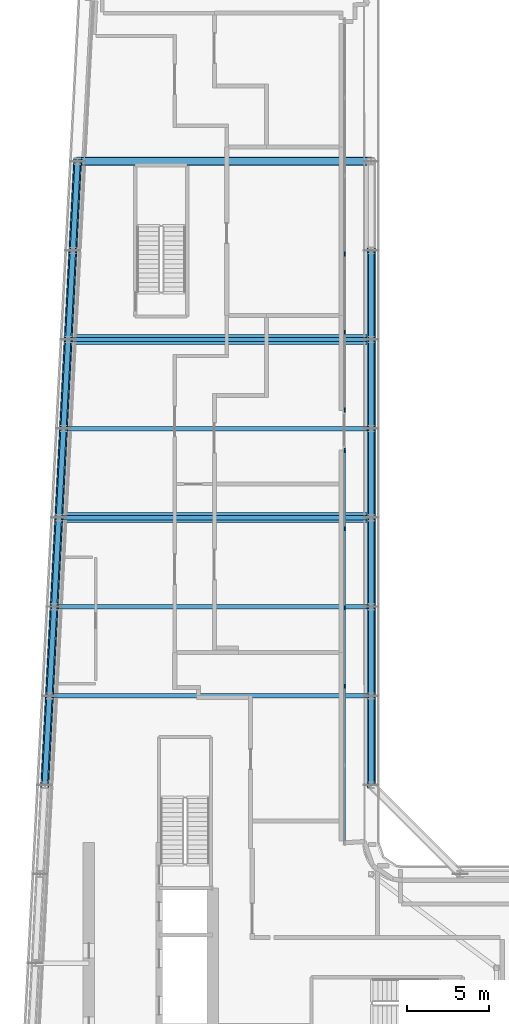
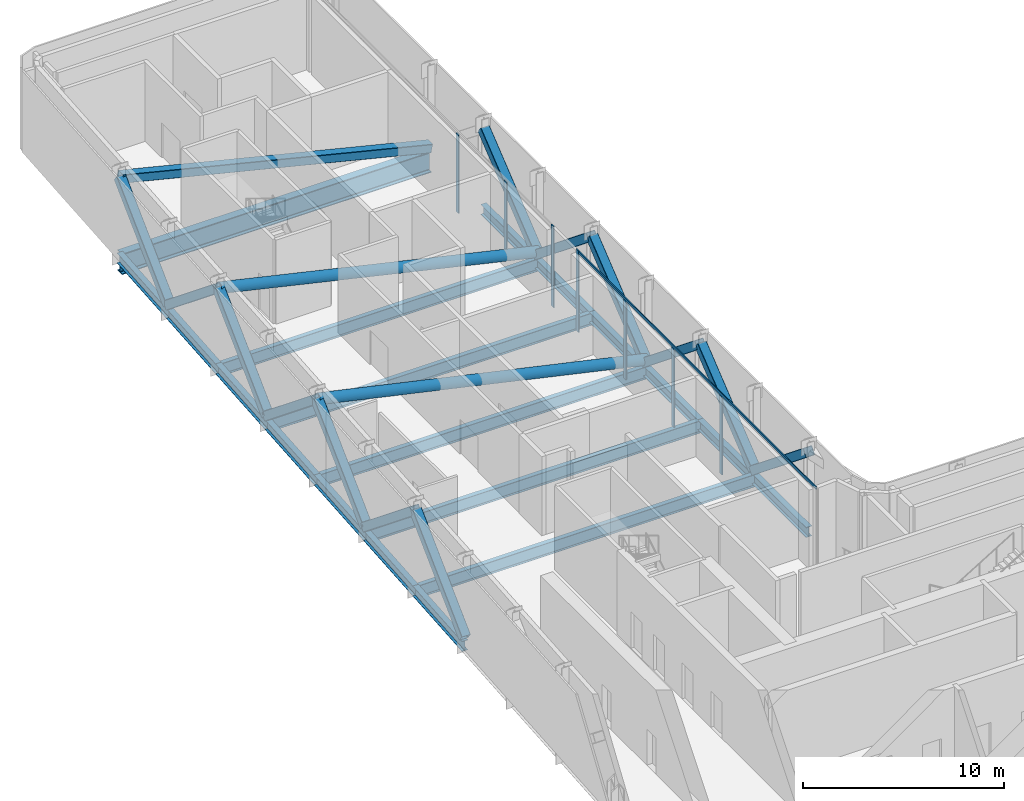
# One storey, part 6 of 23: 24 members, 19 beams, 2 elements without a shape of their own.
"""IFC4 building model written with IfcOpenShell, lengths in metres."""

from ifc_helpers import new_model, si_unit, direction, frame, origin, origin_2d, place, context, subcontext, project, spatial, rectangle, hollow_rectangle, hollow_circle, i_section, extrude, material, layer, layer_set, material_profile, profile_set, type_object, element, aggregate, save


model = new_model("IFC4")

# Units and contexts
model_context = context("Model", 3, precision=1e-05, world=origin(), true_north=direction((0.0, 1.0)))
body_context = subcontext(model_context, "Body", "Model", "MODEL_VIEW")
ifc_project = project(units=[si_unit("LENGTHUNIT", "METRE"), si_unit("AREAUNIT", "SQUARE_METRE"), si_unit("VOLUMEUNIT", "CUBIC_METRE"), si_unit("PLANEANGLEUNIT", "RADIAN"), si_unit("MASSUNIT", "GRAM", prefix="KILO")], contexts=[model_context])

# Site, building, storey
site_placement = place(None, origin())
site = spatial("IfcSite", under=ifc_project, at=site_placement, CompositionType="ELEMENT")
building_placement = place(site_placement, origin())
building = spatial("IfcBuilding", under=site, at=building_placement, Name="Kheshtan School and Residences Tower", CompositionType="ELEMENT")
storey_placement = place(building_placement, frame((0.0, 0.0, 211.10009765625)))
storey = spatial("IfcBuildingStorey", under=building, at=storey_placement, Name="L49", CompositionType="ELEMENT", Elevation=211.10009765625)

# Beams
ifc_material_1 = material(Name="Steel ASTM A992 Grade 50", Category="steel")
ifc_material_profile_1 = material_profile(ifc_material_1, i_section(OverallWidth=0.264892578125, OverallDepth=0.7529296875, WebThickness=0.01318359375, FlangeThickness=0.01708984375, FilletRadius=0.015380859375, at=origin_2d()), Name="W760x147")
ifc_profile_set_1 = profile_set([ifc_material_profile_1], Name="Steel ASTM A992 Grade 50")
beam_type_1 = type_object("IfcBeamType", Name="Beam FB7 W760x147 ASTM A992 Grade 50", PredefinedType="BEAM", material=ifc_profile_set_1)
beam_1_placement = place(storey_placement, frame((47.60009765625, 78.0, -0.526611328125), z_axis=(-1.0, 0.0, 0.0), x_axis=(0.0, -1.0, 0.0)))
element("IfcBeam", 1, at=beam_1_placement, inside=storey, type_object=beam_type_1, Name="Floor beam C089", PredefinedType="BEAM", context=body_context, shape_type="SweptSolid", body=[
    extrude(i_section(OverallWidth=0.264892578125, OverallDepth=0.7529296875, WebThickness=0.01318359375, FlangeThickness=0.01708984375, FilletRadius=0.015380859375, at=origin_2d()), origin(), (0.0, 0.0, 1.0), 18.357177734375),
])
beam_2_placement = place(storey_placement, frame((47.60009765625, 67.199951171875, -0.526611328125), z_axis=(-1.0, 0.0, 0.0), x_axis=(0.0, -1.0, 0.0)))
element("IfcBeam", 2, at=beam_2_placement, inside=storey, type_object=beam_type_1, Name="Floor beam C085", PredefinedType="BEAM", context=body_context, shape_type="SweptSolid", body=[
    extrude(i_section(OverallWidth=0.264892578125, OverallDepth=0.7529296875, WebThickness=0.01318359375, FlangeThickness=0.01708984375, FilletRadius=0.015380859375, at=origin_2d()), origin(), (0.0, 0.0, 1.0), 18.926025390625),
])
beam_3_placement = place(storey_placement, frame((47.60009765625, 56.39990234375, -0.526611328125), z_axis=(-1.0, 0.0, 0.0), x_axis=(0.0, -1.0, 0.0)))
element("IfcBeam", 3, at=beam_3_placement, inside=storey, type_object=beam_type_1, Name="Floor beam C081", PredefinedType="BEAM", context=body_context, shape_type="SweptSolid", body=[
    extrude(i_section(OverallWidth=0.264892578125, OverallDepth=0.7529296875, WebThickness=0.01318359375, FlangeThickness=0.01708984375, FilletRadius=0.015380859375, at=origin_2d()), origin(), (0.0, 0.0, 1.0), 19.494140625),
])
beam_4_placement = place(storey_placement, frame((28.389892578125, 61.800048828125, -0.526611328125), z_axis=(1.0, 0.0, 0.0), x_axis=(0.0, 1.0, 0.0)))
element("IfcBeam", 4, at=beam_4_placement, inside=storey, type_object=beam_type_1, Name="Floor beam C082", PredefinedType="BEAM", context=body_context, shape_type="SweptSolid", body=[
    extrude(i_section(OverallWidth=0.264892578125, OverallDepth=0.7529296875, WebThickness=0.01318359375, FlangeThickness=0.01708984375, FilletRadius=0.015380859375, at=origin_2d()), origin(), (0.0, 0.0, 1.0), 19.210205078125),
])
beam_5_placement = place(storey_placement, frame((28.9580078125, 72.60009765625, -0.526611328125), z_axis=(1.0, 0.0, 0.0), x_axis=(0.0, 1.0, 0.0)))
element("IfcBeam", 5, at=beam_5_placement, inside=storey, type_object=beam_type_1, Name="Floor beam C086", PredefinedType="BEAM", context=body_context, shape_type="SweptSolid", body=[
    extrude(i_section(OverallWidth=0.264892578125, OverallDepth=0.7529296875, WebThickness=0.01318359375, FlangeThickness=0.01708984375, FilletRadius=0.015380859375, at=origin_2d()), origin(), (0.0, 0.0, 1.0), 18.64208984375),
])
ifc_material_profile_2 = material_profile(ifc_material_1, i_section(OverallWidth=0.324951171875, OverallDepth=0.615966796875, WebThickness=0.013916015625, FlangeThickness=0.021484375, FilletRadius=0.0185546875, at=origin_2d()), Name="W610x174")
ifc_profile_set_2 = profile_set([ifc_material_profile_2], Name="Steel ASTM A992 Grade 50")
beam_type_2 = type_object("IfcBeamType", Name="Beam SP5 W610x174 ASTM A992 Grade 50", PredefinedType="BEAM", material=ifc_profile_set_2)
for number, where, z_axis, x_axis, name in (
    (6, (47.60009765625, 83.39990234375, -0.4580078125), (0.0, -1.0, 0.0), (1.0, 0.0, 0.0), "Spandrel beam C091-C089"),
    (7, (47.60009765625, 78.0, -0.4580078125), (0.0, -1.0, 0.0), (1.0, 0.0, 0.0), "Spandrel beam C089-C087"),
):
    element("IfcBeam", number, at=place(storey_placement, frame(where, z_axis=z_axis, x_axis=x_axis)), inside=storey, type_object=beam_type_2, Name=name, PredefinedType="BEAM", context=body_context, shape_type="SweptSolid", body=[
        extrude(i_section(OverallWidth=0.324951171875, OverallDepth=0.615966796875, WebThickness=0.013916015625, FlangeThickness=0.021484375, FilletRadius=0.0185546875, at=origin_2d()), origin(), (0.0, 0.0, 1.0), 5.39990234375),
    ])
beam_6_placement = place(storey_placement, frame((47.60009765625, 72.60009765625, -0.4580078125), z_axis=(0.0, -1.0, 0.0), x_axis=(1.0, 0.0, 0.0)))
element("IfcBeam", 8, at=beam_6_placement, inside=storey, type_object=beam_type_2, Name="Spandrel beam C087-C085", PredefinedType="BEAM", context=body_context, shape_type="SweptSolid", body=[
    extrude(i_section(OverallWidth=0.324951171875, OverallDepth=0.615966796875, WebThickness=0.013916015625, FlangeThickness=0.021484375, FilletRadius=0.0185546875, at=origin_2d()), origin(), (0.0, 0.0, 1.0), 5.400146484375),
])
beam_7_placement = place(storey_placement, frame((47.60009765625, 67.199951171875, -0.4580078125), z_axis=(0.0, -1.0, 0.0), x_axis=(1.0, 0.0, 0.0)))
element("IfcBeam", 9, at=beam_7_placement, inside=storey, type_object=beam_type_2, Name="Spandrel beam C085-C083", PredefinedType="BEAM", context=body_context, shape_type="SweptSolid", body=[
    extrude(i_section(OverallWidth=0.324951171875, OverallDepth=0.615966796875, WebThickness=0.013916015625, FlangeThickness=0.021484375, FilletRadius=0.0185546875, at=origin_2d()), origin(), (0.0, 0.0, 1.0), 5.39990234375),
])
beam_8_placement = place(storey_placement, frame((47.60009765625, 61.800048828125, -0.4580078125), z_axis=(0.0, -1.0, 0.0), x_axis=(1.0, 0.0, 0.0)))
element("IfcBeam", 10, at=beam_8_placement, inside=storey, type_object=beam_type_2, Name="Spandrel beam C083-C081", PredefinedType="BEAM", context=body_context, shape_type="SweptSolid", body=[
    extrude(i_section(OverallWidth=0.324951171875, OverallDepth=0.615966796875, WebThickness=0.013916015625, FlangeThickness=0.021484375, FilletRadius=0.0185546875, at=origin_2d()), origin(), (0.0, 0.0, 1.0), 5.400146484375),
])
beam_9_placement = place(storey_placement, frame((47.60009765625, 56.39990234375, -0.4580078125), z_axis=(0.0, -1.0, 0.0), x_axis=(1.0, 0.0, 0.0)))
element("IfcBeam", 11, at=beam_9_placement, inside=storey, type_object=beam_type_2, Name="Spandrel beam C081-C079", PredefinedType="BEAM", context=body_context, shape_type="SweptSolid", body=[
    extrude(i_section(OverallWidth=0.324951171875, OverallDepth=0.615966796875, WebThickness=0.013916015625, FlangeThickness=0.021484375, FilletRadius=0.0185546875, at=origin_2d()), origin(), (0.0, 0.0, 1.0), 5.39990234375),
])
beam_10_placement = place(storey_placement, frame((27.822021484375, 51.0, -0.4580078125), z_axis=(0.05250906864, 0.998620447272, 0.0), x_axis=(-0.998620447272, 0.05250906864, 0.0)))
element("IfcBeam", 12, at=beam_10_placement, inside=storey, type_object=beam_type_2, Name="Spandrel beam C078-C080", PredefinedType="BEAM", context=body_context, shape_type="SweptSolid", body=[
    extrude(i_section(OverallWidth=0.324951171875, OverallDepth=0.615966796875, WebThickness=0.013916015625, FlangeThickness=0.021484375, FilletRadius=0.0185546875, at=origin_2d()), origin(), (0.0, 0.0, 1.0), 5.407470703125),
])
beam_11_placement = place(storey_placement, frame((28.10595703125, 56.39990234375, -0.4580078125), z_axis=(0.05250670125, 0.998620571751, 0.0), x_axis=(-0.998620571751, 0.05250670125, 0.0)))
element("IfcBeam", 13, at=beam_11_placement, inside=storey, type_object=beam_type_2, Name="Spandrel beam C080-C082", PredefinedType="BEAM", context=body_context, shape_type="SweptSolid", body=[
    extrude(i_section(OverallWidth=0.324951171875, OverallDepth=0.615966796875, WebThickness=0.013916015625, FlangeThickness=0.021484375, FilletRadius=0.0185546875, at=origin_2d()), origin(), (0.0, 0.0, 1.0), 5.40771484375),
])
beam_12_placement = place(storey_placement, frame((28.389892578125, 61.800048828125, -0.4580078125), z_axis=(0.052554093665, 0.998618078766, 0.0), x_axis=(-0.998618078766, 0.052554093665, 0.0)))
element("IfcBeam", 14, at=beam_12_placement, inside=storey, type_object=beam_type_2, Name="Spandrel beam C082-C084", PredefinedType="BEAM", context=body_context, shape_type="SweptSolid", body=[
    extrude(i_section(OverallWidth=0.324951171875, OverallDepth=0.615966796875, WebThickness=0.013916015625, FlangeThickness=0.021484375, FilletRadius=0.0185546875, at=origin_2d()), origin(), (0.0, 0.0, 1.0), 5.407470703125),
])
beam_13_placement = place(storey_placement, frame((28.674072265625, 67.199951171875, -0.4580078125), z_axis=(0.05250670125, 0.998620571751, 0.0), x_axis=(-0.998620571751, 0.05250670125, 0.0)))
element("IfcBeam", 15, at=beam_13_placement, inside=storey, type_object=beam_type_2, Name="Spandrel beam C084-C086", PredefinedType="BEAM", context=body_context, shape_type="SweptSolid", body=[
    extrude(i_section(OverallWidth=0.324951171875, OverallDepth=0.615966796875, WebThickness=0.013916015625, FlangeThickness=0.021484375, FilletRadius=0.0185546875, at=origin_2d()), origin(), (0.0, 0.0, 1.0), 5.40771484375),
])
for number, where, z_axis, x_axis, name in (
    (16, (28.9580078125, 72.60009765625, -0.4580078125), (0.052689166816, 0.998610961136, 0.0), (-0.998610961136, 0.052689166816, 0.0), "Spandrel beam C086-C088"),
    (17, (29.242919921875, 78.0, -0.4580078125), (0.052554093665, 0.998618078766, 0.0), (-0.998618078766, 0.052554093665, 0.0), "Spandrel beam C088-C090"),
):
    element("IfcBeam", number, at=place(storey_placement, frame(where, z_axis=z_axis, x_axis=x_axis)), inside=storey, type_object=beam_type_2, Name=name, PredefinedType="BEAM", context=body_context, shape_type="SweptSolid", body=[
        extrude(i_section(OverallWidth=0.324951171875, OverallDepth=0.615966796875, WebThickness=0.013916015625, FlangeThickness=0.021484375, FilletRadius=0.0185546875, at=origin_2d()), origin(), (0.0, 0.0, 1.0), 5.407470703125),
    ])
beam_14_placement = place(storey_placement, frame((29.527099609375, 83.39990234375, -0.4580078125), z_axis=(0.05250670125, 0.998620571751, 0.0), x_axis=(-0.998620571751, 0.05250670125, 0.0)))
element("IfcBeam", 18, at=beam_14_placement, inside=storey, type_object=beam_type_2, Name="Spandrel beam C090-C098", PredefinedType="BEAM", context=body_context, shape_type="SweptSolid", body=[
    extrude(i_section(OverallWidth=0.324951171875, OverallDepth=0.615966796875, WebThickness=0.013916015625, FlangeThickness=0.021484375, FilletRadius=0.0185546875, at=origin_2d()), origin(), (0.0, 0.0, 1.0), 5.40771484375),
])

# Curtain wall, members
ifc_material_2 = material(Name="Clear low-e glass in thermally broken aluminium frame", Category="aluminium")
ifc_layer = layer(ifc_material_2, 0.25)
ifc_layer_set = layer_set([ifc_layer], Name="Curtain wall CW-G")
curtain_wall_type = type_object("IfcCurtainWallType", Name="Curtain wall CW-G", PredefinedType="NOTDEFINED", material=ifc_layer_set)
curtain_wall_1_placement = place(storey_placement, origin())
curtain_wall_1 = element("IfcCurtainWall", 19, at=curtain_wall_1_placement, inside=storey, type_object=curtain_wall_type, Name="Curtain wall CWG19", PredefinedType="NOTDEFINED")
ifc_material_3 = material(Name="Thermally broken aluminium, dark bronze anodised", Category="aluminium")
ifc_material_profile_3 = material_profile(ifc_material_3, rectangle(XDim=0.06005859375, YDim=0.25, at=origin_2d()), Name="CW-G mullion 60x250")
ifc_profile_set_3 = profile_set([ifc_material_profile_3], Name="Thermally broken aluminium, dark bronze anodised")
member_type_1 = type_object("IfcMemberType", Name="CW-G mullion 60x250", PredefinedType="MULLION", material=ifc_profile_set_3)
member_1_placement = place(storey_placement, frame((46.0, 83.179931640625, 0.0), z_axis=(0.0, 0.0, 1.0), x_axis=(1.0, 0.0, 0.0)))
member_1 = element("IfcMember", 20, at=member_1_placement, type_object=member_type_1, Name="CWG19 mullion 4", PredefinedType="MULLION", context=body_context, shape_type="SweptSolid", body=[
    extrude(rectangle(XDim=0.06005859375, YDim=0.25, at=origin_2d()), origin(), (0.0, 0.0, 1.0), 4.789794921875),
])
member_2_placement = place(storey_placement, frame((46.0, 78.43994140625, 0.0), z_axis=(0.0, 0.0, 1.0), x_axis=(1.0, 0.0, 0.0)))
member_2 = element("IfcMember", 21, at=member_2_placement, type_object=member_type_1, Name="CWG19 mullion 5", PredefinedType="MULLION", context=body_context, shape_type="SweptSolid", body=[
    extrude(rectangle(XDim=0.06005859375, YDim=0.25, at=origin_2d()), origin(), (0.0, 0.0, 1.0), 4.789794921875),
])
member_3_placement = place(storey_placement, frame((46.0, 73.72998046875, 0.0), z_axis=(0.0, 0.0, 1.0), x_axis=(1.0, 0.0, 0.0)))
member_3 = element("IfcMember", 22, at=member_3_placement, type_object=member_type_1, Name="CWG19 mullion 6", PredefinedType="MULLION", context=body_context, shape_type="SweptSolid", body=[
    extrude(rectangle(XDim=0.06005859375, YDim=0.25, at=origin_2d()), origin(), (0.0, 0.0, 1.0), 4.949951171875),
])
aggregate(curtain_wall_1, [member_1, member_2, member_3])

curtain_wall_2_placement = place(storey_placement, origin())
curtain_wall_2 = element("IfcCurtainWall", 23, at=curtain_wall_2_placement, inside=storey, type_object=curtain_wall_type, Name="Curtain wall CWG19a", PredefinedType="NOTDEFINED")
member_4_placement = place(storey_placement, frame((46.0, 71.27001953125, 0.0), z_axis=(0.0, 0.0, 1.0), x_axis=(1.0, 0.0, 0.0)))
member_4 = element("IfcMember", 24, at=member_4_placement, type_object=member_type_1, Name="CWG19a mullion 1", PredefinedType="MULLION", context=body_context, shape_type="SweptSolid", body=[
    extrude(rectangle(XDim=0.06005859375, YDim=0.25, at=origin_2d()), origin(), (0.0, 0.0, 1.0), 4.949951171875),
])
member_5_placement = place(storey_placement, frame((46.0, 66.52587890625, 0.0), z_axis=(0.0, 0.0, 1.0), x_axis=(1.0, 0.0, 0.0)))
member_5 = element("IfcMember", 25, at=member_5_placement, type_object=member_type_1, Name="CWG19a mullion 2", PredefinedType="MULLION", context=body_context, shape_type="SweptSolid", body=[
    extrude(rectangle(XDim=0.06005859375, YDim=0.25, at=origin_2d()), origin(), (0.0, 0.0, 1.0), 4.789794921875),
])
member_6_placement = place(storey_placement, frame((46.0, 61.751953125, 0.0), z_axis=(0.0, 0.0, 1.0), x_axis=(1.0, 0.0, 0.0)))
member_6 = element("IfcMember", 26, at=member_6_placement, type_object=member_type_1, Name="CWG19a mullion 3", PredefinedType="MULLION", context=body_context, shape_type="SweptSolid", body=[
    extrude(rectangle(XDim=0.06005859375, YDim=0.25, at=origin_2d()), origin(), (0.0, 0.0, 1.0), 4.789794921875),
])
member_7_placement = place(storey_placement, frame((46.0, 56.97802734375, 0.0), z_axis=(0.0, 0.0, 1.0), x_axis=(1.0, 0.0, 0.0)))
member_7 = element("IfcMember", 27, at=member_7_placement, type_object=member_type_1, Name="CWG19a mullion 4", PredefinedType="MULLION", context=body_context, shape_type="SweptSolid", body=[
    extrude(rectangle(XDim=0.06005859375, YDim=0.25, at=origin_2d()), origin(), (0.0, 0.0, 1.0), 4.789794921875),
])
ifc_material_profile_4 = material_profile(ifc_material_3, rectangle(XDim=0.06005859375, YDim=0.159912109375, at=origin_2d()), Name="CW-G transom 60x160")
ifc_profile_set_4 = profile_set([ifc_material_profile_4], Name="Thermally broken aluminium, dark bronze anodised")
member_type_2 = type_object("IfcMemberType", Name="CW-G transom 60x160", PredefinedType="USERDEFINED", material=ifc_profile_set_4)
member_8_placement = place(storey_placement, frame((46.0, 71.239990234375, 4.869873046875), z_axis=(0.0, -1.0, 0.0), x_axis=(1.0, 0.0, 0.0)))
member_8 = element("IfcMember", 28, at=member_8_placement, type_object=member_type_2, Name="CWG19a transom 1", ObjectType="TRANSOM", PredefinedType="USERDEFINED", context=body_context, shape_type="SweptSolid", body=[
    extrude(rectangle(XDim=0.06005859375, YDim=0.159912109375, at=origin_2d()), origin(), (0.0, 0.0, 1.0), 23.75),
])
aggregate(curtain_wall_2, [member_4, member_5, member_6, member_7, member_8])

# Members
ifc_material_4 = material(Name="Steel ASTM A500 Grade C", Category="steel")
ifc_material_profile_5 = material_profile(ifc_material_4, hollow_rectangle(XDim=0.508056640625, YDim=0.508056640625, WallThickness=0.01904296875, InnerFilletRadius=0.01904296875, OuterFilletRadius=0.0380859375, at=origin_2d()), Name="HSS 508x508x19")
ifc_profile_set_5 = profile_set([ifc_material_profile_5], Name="Steel ASTM A500 Grade C")
member_type_3 = type_object("IfcMemberType", Name="Member BT2 HSS 508x508x19 ASTM A500 Grade C", PredefinedType="BRACE", material=ifc_profile_set_5)
for number, where, z_axis, x_axis, name in (
    (29, (47.60009765625, 78.0, 0.0498046875), (0.0, 0.777537865444, 0.628836121578), (-1.0, 0.0, 0.0), "Belt truss diagonal C091-C089"),
    (30, (47.60009765625, 78.0, 0.0498046875), (0.0, -0.777537865444, 0.628836121578), (1.0, 0.0, 0.0), "Belt truss diagonal C089-C087"),
):
    element("IfcMember", number, at=place(storey_placement, frame(where, z_axis=z_axis, x_axis=x_axis)), inside=storey, type_object=member_type_3, Name=name, PredefinedType="BRACE", context=body_context, shape_type="SweptSolid", body=[
        extrude(hollow_rectangle(XDim=0.508056640625, YDim=0.508056640625, WallThickness=0.01904296875, InnerFilletRadius=0.01904296875, OuterFilletRadius=0.0380859375, at=origin_2d()), origin(), (0.0, 0.0, 1.0), 6.94482421875),
    ])
member_9_placement = place(storey_placement, frame((47.60009765625, 67.199951171875, 0.0498046875), z_axis=(0.0, 0.777551766021, 0.628818933523), x_axis=(-1.0, 0.0, 0.0)))
element("IfcMember", 31, at=member_9_placement, inside=storey, type_object=member_type_3, Name="Belt truss diagonal C087-C085", PredefinedType="BRACE", context=body_context, shape_type="SweptSolid", body=[
    extrude(hollow_rectangle(XDim=0.508056640625, YDim=0.508056640625, WallThickness=0.01904296875, InnerFilletRadius=0.01904296875, OuterFilletRadius=0.0380859375, at=origin_2d()), origin(), (0.0, 0.0, 1.0), 6.945068359375),
])
member_10_placement = place(storey_placement, frame((47.60009765625, 67.199951171875, 0.0498046875), z_axis=(0.0, -0.777537865444, 0.628836121578), x_axis=(1.0, 0.0, 0.0)))
element("IfcMember", 32, at=member_10_placement, inside=storey, type_object=member_type_3, Name="Belt truss diagonal C085-C083", PredefinedType="BRACE", context=body_context, shape_type="SweptSolid", body=[
    extrude(hollow_rectangle(XDim=0.508056640625, YDim=0.508056640625, WallThickness=0.01904296875, InnerFilletRadius=0.01904296875, OuterFilletRadius=0.0380859375, at=origin_2d()), origin(), (0.0, 0.0, 1.0), 6.94482421875),
])
member_11_placement = place(storey_placement, frame((47.60009765625, 56.39990234375, 0.0498046875), z_axis=(0.0, 0.777551766021, 0.628818933523), x_axis=(-1.0, 0.0, 0.0)))
element("IfcMember", 33, at=member_11_placement, inside=storey, type_object=member_type_3, Name="Belt truss diagonal C083-C081", PredefinedType="BRACE", context=body_context, shape_type="SweptSolid", body=[
    extrude(hollow_rectangle(XDim=0.508056640625, YDim=0.508056640625, WallThickness=0.01904296875, InnerFilletRadius=0.01904296875, OuterFilletRadius=0.0380859375, at=origin_2d()), origin(), (0.0, 0.0, 1.0), 6.945068359375),
])
member_12_placement = place(storey_placement, frame((47.60009765625, 56.39990234375, 0.0498046875), z_axis=(0.0, -0.777537865444, 0.628836121578), x_axis=(1.0, 0.0, 0.0)))
element("IfcMember", 34, at=member_12_placement, inside=storey, type_object=member_type_3, Name="Belt truss diagonal C081-C079", PredefinedType="BRACE", context=body_context, shape_type="SweptSolid", body=[
    extrude(hollow_rectangle(XDim=0.508056640625, YDim=0.508056640625, WallThickness=0.01904296875, InnerFilletRadius=0.01904296875, OuterFilletRadius=0.0380859375, at=origin_2d()), origin(), (0.0, 0.0, 1.0), 6.94482421875),
])
member_13_placement = place(storey_placement, frame((27.822021484375, 51.0, 0.0498046875), z_axis=(0.040850064509, 0.776888845057, 0.628311224359), x_axis=(-0.998620447272, 0.05250906864, 0.0)))
element("IfcMember", 35, at=member_13_placement, inside=storey, type_object=member_type_3, Name="Belt truss diagonal C078-C080", PredefinedType="BRACE", context=body_context, shape_type="SweptSolid", body=[
    extrude(hollow_rectangle(XDim=0.508056640625, YDim=0.508056640625, WallThickness=0.01904296875, InnerFilletRadius=0.01904296875, OuterFilletRadius=0.0380859375, at=origin_2d()), origin(), (0.0, 0.0, 1.0), 6.95068359375),
])
member_14_placement = place(storey_placement, frame((28.389892578125, 61.800048828125, 0.0498046875), z_axis=(-0.040848949812, -0.776902769467, 0.628294079308), x_axis=(0.998620571751, -0.05250670125, 0.0)))
element("IfcMember", 36, at=member_14_placement, inside=storey, type_object=member_type_3, Name="Belt truss diagonal C080-C082", PredefinedType="BRACE", context=body_context, shape_type="SweptSolid", body=[
    extrude(hollow_rectangle(XDim=0.508056640625, YDim=0.508056640625, WallThickness=0.01904296875, InnerFilletRadius=0.01904296875, OuterFilletRadius=0.0380859375, at=origin_2d()), origin(), (0.0, 0.0, 1.0), 6.950927734375),
])
member_15_placement = place(storey_placement, frame((28.389892578125, 61.800048828125, 0.0498046875), z_axis=(0.040885130553, 0.776887729863, 0.628310322443), x_axis=(-0.998618078766, 0.052554093665, 0.0)))
element("IfcMember", 37, at=member_15_placement, inside=storey, type_object=member_type_3, Name="Belt truss diagonal C082-C084", PredefinedType="BRACE", context=body_context, shape_type="SweptSolid", body=[
    extrude(hollow_rectangle(XDim=0.508056640625, YDim=0.508056640625, WallThickness=0.01904296875, InnerFilletRadius=0.01904296875, OuterFilletRadius=0.0380859375, at=origin_2d()), origin(), (0.0, 0.0, 1.0), 6.95068359375),
])
member_16_placement = place(storey_placement, frame((28.9580078125, 72.60009765625, 0.0498046875), z_axis=(-0.040848949812, -0.776902769467, 0.628294079308), x_axis=(0.998620571751, -0.05250670125, 0.0)))
element("IfcMember", 38, at=member_16_placement, inside=storey, type_object=member_type_3, Name="Belt truss diagonal C084-C086", PredefinedType="BRACE", context=body_context, shape_type="SweptSolid", body=[
    extrude(hollow_rectangle(XDim=0.508056640625, YDim=0.508056640625, WallThickness=0.01904296875, InnerFilletRadius=0.01904296875, OuterFilletRadius=0.0380859375, at=origin_2d()), origin(), (0.0, 0.0, 1.0), 6.950927734375),
])
for number, where, z_axis, x_axis, name in (
    (39, (28.9580078125, 72.60009765625, 0.0498046875), (0.040990327777, 0.776884378559, 0.628307612066), (-0.998610961136, 0.052689166816, 0.0), "Belt truss diagonal C086-C088"),
    (40, (29.527099609375, 83.39990234375, 0.0498046875), (-0.040885130553, -0.776887729863, 0.628310322443), (0.998618078766, -0.052554093665, 0.0), "Belt truss diagonal C088-C090"),
):
    element("IfcMember", number, at=place(storey_placement, frame(where, z_axis=z_axis, x_axis=x_axis)), inside=storey, type_object=member_type_3, Name=name, PredefinedType="BRACE", context=body_context, shape_type="SweptSolid", body=[
        extrude(hollow_rectangle(XDim=0.508056640625, YDim=0.508056640625, WallThickness=0.01904296875, InnerFilletRadius=0.01904296875, OuterFilletRadius=0.0380859375, at=origin_2d()), origin(), (0.0, 0.0, 1.0), 6.95068359375),
    ])
member_17_placement = place(storey_placement, frame((29.527099609375, 83.39990234375, 0.0498046875), z_axis=(0.040848949812, 0.776902769467, 0.628294079308), x_axis=(-0.998620571751, 0.05250670125, 0.0)))
element("IfcMember", 41, at=member_17_placement, inside=storey, type_object=member_type_3, Name="Belt truss diagonal C090-C098", PredefinedType="BRACE", context=body_context, shape_type="SweptSolid", body=[
    extrude(hollow_rectangle(XDim=0.508056640625, YDim=0.508056640625, WallThickness=0.01904296875, InnerFilletRadius=0.01904296875, OuterFilletRadius=0.0380859375, at=origin_2d()), origin(), (0.0, 0.0, 1.0), 6.950927734375),
])
member_18_placement = place(storey_placement, frame((47.60009765625, 88.800048828125, 0.0498046875), z_axis=(-0.971162415633, 0.0, 0.238418880254), x_axis=(0.0, -1.0, 0.0)))
element("IfcMember", 42, at=member_18_placement, inside=storey, type_object=member_type_3, Name="Belt truss diagonal C098-C099", PredefinedType="BRACE", context=body_context, shape_type="SweptSolid", body=[
    extrude(hollow_rectangle(XDim=0.508056640625, YDim=0.508056640625, WallThickness=0.01904296875, InnerFilletRadius=0.01904296875, OuterFilletRadius=0.0380859375, at=origin_2d()), origin(), (0.0, 0.0, 1.0), 18.3173828125),
])
ifc_material_profile_6 = material_profile(ifc_material_4, hollow_circle(Radius=0.3046875, WallThickness=0.01904296875, at=origin_2d()), Name="HSS 610x19")
ifc_profile_set_6 = profile_set([ifc_material_profile_6], Name="Steel ASTM A500 Grade C")
member_type_4 = type_object("IfcMemberType", Name="Member OR1 HSS 610x19 ASTM A500 Grade C", PredefinedType="BRACE", material=ifc_profile_set_6)
member_19_placement = place(storey_placement, frame((47.60009765625, 78.0, 0.199951171875), z_axis=(-0.974614414636, 0.0, 0.223890023859), x_axis=(0.0, -1.0, 0.0)))
element("IfcMember", 43, at=member_19_placement, inside=storey, type_object=member_type_4, Name="Outrigger arm 1", PredefinedType="BRACE", context=body_context, shape_type="SweptSolid", body=[
    extrude(hollow_circle(Radius=0.3046875, WallThickness=0.01904296875, at=origin_2d()), origin(), (0.0, 0.0, 1.0), 18.835205078125),
])
member_20_placement = place(storey_placement, frame((47.60009765625, 67.199951171875, 0.199951171875), z_axis=(-0.976063956362, 0.0, 0.217483684656), x_axis=(0.0, -1.0, 0.0)))
element("IfcMember", 44, at=member_20_placement, inside=storey, type_object=member_type_4, Name="Outrigger arm 3", PredefinedType="BRACE", context=body_context, shape_type="SweptSolid", body=[
    extrude(hollow_circle(Radius=0.3046875, WallThickness=0.01904296875, at=origin_2d()), origin(), (0.0, 0.0, 1.0), 19.39013671875),
])

# Beam
ifc_material_profile_7 = material_profile(ifc_material_1, i_section(OverallWidth=0.449951171875, OverallDepth=1.25, WebThickness=0.02490234375, FlangeThickness=0.044921875, FilletRadius=0.03759765625, at=origin_2d()), Name="WWF1250x546")
ifc_profile_set_7 = profile_set([ifc_material_profile_7], Name="Steel ASTM A992 Grade 50")
beam_type_3 = type_object("IfcBeamType", Name="Transfer girder TG4 WWF1250x546 ASTM A992 Grade 50", PredefinedType="BEAM", material=ifc_profile_set_7)
beam_15_placement = place(storey_placement, frame((29.81103515625, 88.800048828125, -0.775146484375), z_axis=(1.0, 0.0, 0.0), x_axis=(0.0, 1.0, 0.0)))
element("IfcBeam", 45, at=beam_15_placement, inside=storey, type_object=beam_type_3, Name="Transfer girder C098-C099", PredefinedType="BEAM", context=body_context, shape_type="SweptSolid", body=[
    extrude(i_section(OverallWidth=0.449951171875, OverallDepth=1.25, WebThickness=0.02490234375, FlangeThickness=0.044921875, FilletRadius=0.03759765625, at=origin_2d()), origin(), (0.0, 0.0, 1.0), 17.7890625),
])

save(model, "model.ifc")
